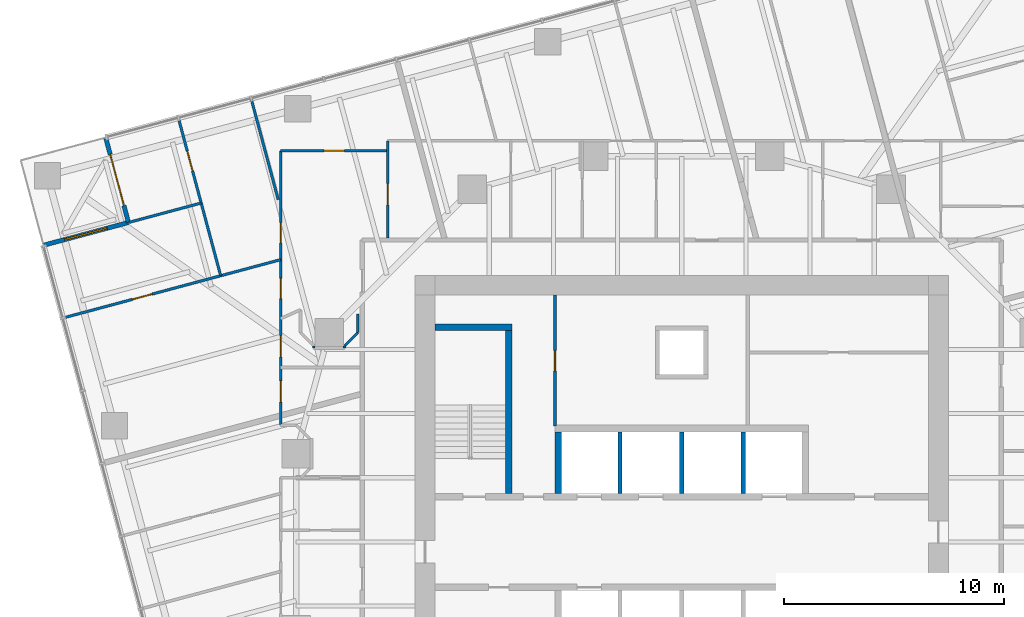
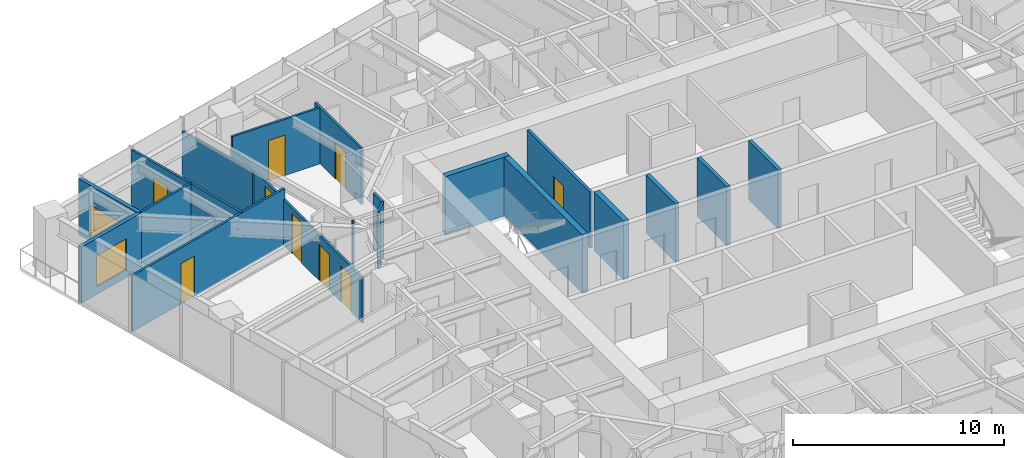
# One storey, part 12 of 15: 20 walls, 10 doors, 1 window, 11 openings.
"""IFC4 building model written with IfcOpenShell, lengths in metres."""

from ifc_helpers import new_model, si_unit, direction, frame, frame_2d, origin, place, context, subcontext, project, spatial, rectangle, extrude, material, layer, layer_set, type_object, element, fill, save


model = new_model("IFC4")

# Units and contexts
model_context = context("Model", 3, precision=1e-05, world=origin(), true_north=direction((0.0, 1.0)))
body_context = subcontext(model_context, "Body", "Model", "MODEL_VIEW")
ifc_project = project(units=[si_unit("LENGTHUNIT", "METRE"), si_unit("AREAUNIT", "SQUARE_METRE"), si_unit("VOLUMEUNIT", "CUBIC_METRE"), si_unit("PLANEANGLEUNIT", "RADIAN"), si_unit("MASSUNIT", "GRAM", prefix="KILO")], contexts=[model_context])

# Site, building, storey
site_placement = place(None, origin())
site = spatial("IfcSite", under=ifc_project, at=site_placement, CompositionType="ELEMENT")
building_placement = place(site_placement, origin())
building = spatial("IfcBuilding", under=site, at=building_placement, Name="Torsade Residences", CompositionType="ELEMENT")
storey_placement = place(building_placement, frame((0.0, 0.0, 132.0)))
storey = spatial("IfcBuildingStorey", under=building, at=storey_placement, Name="L36", CompositionType="ELEMENT", Elevation=132.0)

# Walls
ifc_material_1 = material(Name="Concrete 80 MPa", Category="concrete")
ifc_layer_1 = layer(ifc_material_1, 0.300048828125)
ifc_layer_set_1 = layer_set([ifc_layer_1], Name="Concrete 80 MPa")
wall_type_1 = type_object("IfcWallType", Name="CORE INTERNAL WALL 300", PredefinedType="SHEAR", material=ifc_layer_set_1)
wall_1_placement = place(storey_placement, frame((34.39990234375, 32.199951171875, 0.0), z_axis=(0.0, 0.0, 1.0), x_axis=(0.0, 1.0, 0.0)))
element("IfcWall", 1, at=wall_1_placement, inside=storey, type_object=wall_type_1, Name="Core wall DN0 L36", PredefinedType="SHEAR", context=body_context, shape_type="SweptSolid", body=[
    extrude(rectangle(XDim=2.800048828125, YDim=0.300048828125, at=frame_2d((1.39990234375, 0.0))), origin(), (0.0, 0.0, 1.0), 3.39990234375),
])
wall_2_placement = place(storey_placement, frame((32.14990234375, 32.199951171875, 0.0), z_axis=(0.0, 0.0, 1.0), x_axis=(0.0, 1.0, 0.0)))
element("IfcWall", 2, at=wall_2_placement, inside=storey, type_object=wall_type_1, Name="Core wall ST1E L36", PredefinedType="SHEAR", context=body_context, shape_type="SweptSolid", body=[
    extrude(rectangle(XDim=7.699951171875, YDim=0.300048828125, at=frame_2d((3.85009765625, 0.0))), origin(), (0.0, 0.0, 1.0), 3.39990234375),
])
wall_3_placement = place(storey_placement, frame((28.800048828125, 39.75, 0.0), z_axis=(0.0, 0.0, 1.0), x_axis=(1.0, 0.0, 0.0)))
element("IfcWall", 3, at=wall_3_placement, inside=storey, type_object=wall_type_1, Name="Core wall ST1N L36", PredefinedType="SHEAR", context=body_context, shape_type="SweptSolid", body=[
    extrude(rectangle(XDim=3.5, YDim=0.300048828125, at=frame_2d((1.75, 0.0))), origin(), (0.0, 0.0, 1.0), 3.39990234375),
])
ifc_material_2 = material(Name="Reinforced blockwork", Category="masonry")
ifc_layer_2 = layer(ifc_material_2, 0.199951171875)
ifc_layer_set_2 = layer_set([ifc_layer_2], Name="Reinforced blockwork")
wall_type_2 = type_object("IfcWallType", Name="LIFT SHAFT DIVIDING WALL 200", PredefinedType="SOLIDWALL", material=ifc_layer_set_2)
for number, where, z_axis, x_axis, name in (
    (4, (37.199951171875, 32.199951171875, 0.0), (0.0, 0.0, 1.0), (0.0, 1.0, 0.0), "Core wall DN1 L36"),
    (5, (40.0, 32.199951171875, 0.0), (0.0, 0.0, 1.0), (0.0, 1.0, 0.0), "Core wall DN2 L36"),
    (6, (42.800048828125, 32.199951171875, 0.0), (0.0, 0.0, 1.0), (0.0, 1.0, 0.0), "Core wall DN3 L36"),
):
    element("IfcWall", number, at=place(storey_placement, frame(where, z_axis=z_axis, x_axis=x_axis)), inside=storey, type_object=wall_type_2, Name=name, PredefinedType="SOLIDWALL", context=body_context, shape_type="SweptSolid", body=[
        extrude(rectangle(XDim=2.800048828125, YDim=0.199951171875, at=frame_2d((1.39990234375, 0.0))), origin(), (0.0, 0.0, 1.0), 3.39990234375),
    ])
ifc_material_3 = material(Name="Plasterboard on steel stud", Category="steel")
ifc_layer_3 = layer(ifc_material_3, 0.1201171875)
ifc_layer_set_3 = layer_set([ifc_layer_3], Name="Plasterboard on steel stud")
wall_type_3 = type_object("IfcWallType", Name="PARTITION 120", PredefinedType="PARTITIONING", material=ifc_layer_set_3)
wall_4_placement = place(storey_placement, frame((25.300048828125, 40.335205078125, 0.0), z_axis=(0.0, 0.0, 1.0), x_axis=(0.0, -1.0, 0.0)))
element("IfcWall", 7, at=wall_4_placement, inside=storey, type_object=wall_type_3, Name="Partition L36", PredefinedType="PARTITIONING", context=body_context, shape_type="SweptSolid", body=[
    extrude(rectangle(XDim=0.835205078125, YDim=0.1201171875, at=frame_2d((0.41748046875, 0.0))), origin(), (0.0, 0.0, 1.0), 3.25),
])
wall_5_placement = place(storey_placement, frame((25.300048828125, 39.5, 0.0), z_axis=(0.0, 0.0, 1.0), x_axis=(-0.707106781187, -0.707106781187, 0.0)))
element("IfcWall", 8, at=wall_5_placement, inside=storey, type_object=wall_type_3, Name="Partition L36", PredefinedType="PARTITIONING", context=body_context, shape_type="SweptSolid", body=[
    extrude(rectangle(XDim=0.8486328125, YDim=0.1201171875, at=frame_2d((0.42431640625, 0.0))), origin(), (0.0, 0.0, 1.0), 3.25),
])

# Wall, openings, doors
wall_6_placement = place(storey_placement, frame((21.800048828125, 35.300048828125, 0.0), z_axis=(0.0, 0.0, 1.0), x_axis=(0.0, 1.0, 0.0)))
wall_6 = element("IfcWall", 9, at=wall_6_placement, inside=storey, type_object=wall_type_3, Name="Partition L36", PredefinedType="PARTITIONING", context=body_context, shape_type="SweptSolid", body=[
    extrude(rectangle(XDim=12.449951171875, YDim=0.1201171875, at=frame_2d((6.22509765625, 0.0))), origin(), (0.0, 0.0, 1.0), 2.636962890625),
])
opening_1_placement = place(wall_6_placement, frame((5.73828125, 0.0, 0.0)))
opening_1 = element("IfcOpeningElement", 10, at=opening_1_placement, cuts=wall_6, Name="Opening D02", PredefinedType="OPENING", context=body_context, shape_type="SweptSolid", body=[
    extrude(rectangle(XDim=0.919921875, YDim=2.340087890625, at=frame_2d((0.4599609375, 1.169921875))), frame((0.0, 0.070068359375, 0.0), z_axis=(0.0, -1.0, 0.0), x_axis=(1.0, 0.0, 0.0)), (0.0, 0.0, 1.0), 0.14013671875),
])
opening_2_placement = place(wall_6_placement, frame((8.275146484375, 0.0, 0.0)))
opening_2 = element("IfcOpeningElement", 11, at=opening_2_placement, cuts=wall_6, Name="Opening D02", PredefinedType="OPENING", context=body_context, shape_type="SweptSolid", body=[
    extrude(rectangle(XDim=0.919921875, YDim=2.340087890625, at=frame_2d((0.4599609375, 1.169921875))), frame((0.0, 0.070068359375, 0.0), z_axis=(0.0, -1.0, 0.0), x_axis=(1.0, 0.0, 0.0)), (0.0, 0.0, 1.0), 0.14013671875),
])
opening_3_placement = place(wall_6_placement, frame((3.0966796875, 0.0, 0.0)))
opening_3 = element("IfcOpeningElement", 12, at=opening_3_placement, cuts=wall_6, Name="Opening D05", PredefinedType="OPENING", context=body_context, shape_type="SweptSolid", body=[
    extrude(rectangle(XDim=0.9599609375, YDim=2.10009765625, at=frame_2d((0.47998046875, 1.050048828125))), frame((0.0, 0.070068359375, 0.0), z_axis=(0.0, -1.0, 0.0), x_axis=(1.0, 0.0, 0.0)), (0.0, 0.0, 1.0), 0.14013671875),
])
opening_4_placement = place(wall_6_placement, frame((1.046630859375, 0.0, 0.0)))
opening_4 = element("IfcOpeningElement", 13, at=opening_4_placement, cuts=wall_6, Name="Opening D05", PredefinedType="OPENING", context=body_context, shape_type="SweptSolid", body=[
    extrude(rectangle(XDim=0.9599609375, YDim=2.10009765625, at=frame_2d((0.47998046875, 1.050048828125))), frame((0.0, 0.070068359375, 0.0), z_axis=(0.0, -1.0, 0.0), x_axis=(1.0, 0.0, 0.0)), (0.0, 0.0, 1.0), 0.14013671875),
])
ifc_material_4 = material(Name="Hollow-core timber door in a steel cavity frame", Category="steel")
door_type_1 = type_object("IfcDoorType", Name="BATHROOM CAVITY SLIDING DOOR 960", OperationType="SLIDING_TO_LEFT", PredefinedType="DOOR", material=ifc_material_4)
door_1_placement = place(opening_3_placement, origin())
door_1 = element("IfcDoor", 14, at=door_1_placement, inside=storey, type_object=door_type_1, Name="Door Living room to Ensuite", OperationType="SLIDING_TO_LEFT", OverallHeight=2.10009765625, OverallWidth=0.9599609375, PredefinedType="DOOR", context=body_context, shape_type="SweptSolid", body=[
    extrude(rectangle(XDim=0.9599609375, YDim=2.10009765625, at=frame_2d((0.47998046875, 1.050048828125))), frame((0.0, 0.02490234375, 0.0), z_axis=(0.0, -1.0, 0.0), x_axis=(1.0, 0.0, 0.0)), (0.0, 0.0, 1.0), 0.050048828125),
])
fill(opening_3, door_1)
door_2_placement = place(opening_4_placement, origin())
door_2 = element("IfcDoor", 15, at=door_2_placement, inside=storey, type_object=door_type_1, Name="Door Living room to Laundry", OperationType="SLIDING_TO_LEFT", OverallHeight=2.10009765625, OverallWidth=0.9599609375, PredefinedType="DOOR", context=body_context, shape_type="SweptSolid", body=[
    extrude(rectangle(XDim=0.9599609375, YDim=2.10009765625, at=frame_2d((0.47998046875, 1.050048828125))), frame((0.0, 0.02490234375, 0.0), z_axis=(0.0, -1.0, 0.0), x_axis=(1.0, 0.0, 0.0)), (0.0, 0.0, 1.0), 0.050048828125),
])
fill(opening_4, door_2)
ifc_material_5 = material(Name="Hollow-core timber door", Category="wood")
door_type_2 = type_object("IfcDoorType", Name="INTERNAL DOOR 920x2340", OperationType="NOTDEFINED", PredefinedType="DOOR", material=ifc_material_5)
door_3_placement = place(opening_1_placement, origin())
door_3 = element("IfcDoor", 16, at=door_3_placement, inside=storey, type_object=door_type_2, Name="Door Kitchen and dining to Living room", OperationType="SINGLE_SWING_RIGHT", OverallHeight=2.340087890625, OverallWidth=0.919921875, PredefinedType="DOOR", context=body_context, shape_type="SweptSolid", body=[
    extrude(rectangle(XDim=0.919921875, YDim=2.340087890625, at=frame_2d((0.4599609375, 1.169921875))), frame((0.0, 0.02490234375, 0.0), z_axis=(0.0, -1.0, 0.0), x_axis=(1.0, 0.0, 0.0)), (0.0, 0.0, 1.0), 0.050048828125),
])
fill(opening_1, door_3)
door_4_placement = place(opening_2_placement, origin())
door_4 = element("IfcDoor", 17, at=door_4_placement, inside=storey, type_object=door_type_2, Name="Door Kitchen and dining to Bedroom 2", OperationType="SINGLE_SWING_LEFT", OverallHeight=2.340087890625, OverallWidth=0.919921875, PredefinedType="DOOR", context=body_context, shape_type="SweptSolid", body=[
    extrude(rectangle(XDim=0.919921875, YDim=2.340087890625, at=frame_2d((0.4599609375, 1.169921875))), frame((0.0, 0.02490234375, 0.0), z_axis=(0.0, -1.0, 0.0), x_axis=(1.0, 0.0, 0.0)), (0.0, 0.0, 1.0), 0.050048828125),
])
fill(opening_2, door_4)

# Wall, opening, door
wall_7_placement = place(storey_placement, frame((21.800048828125, 47.75, 0.0), z_axis=(0.0, 0.0, 1.0), x_axis=(1.0, 0.0, 0.0)))
wall_7 = element("IfcWall", 18, at=wall_7_placement, inside=storey, type_object=wall_type_3, Name="Partition L36", PredefinedType="PARTITIONING", context=body_context, shape_type="SweptSolid", body=[
    extrude(rectangle(XDim=4.856689453125, YDim=0.1201171875, at=frame_2d((2.42822265625, 0.0))), origin(), (0.0, 0.0, 1.0), 3.25),
])
opening_5_placement = place(wall_7_placement, frame((1.968505859375, 0.0, 0.0)))
opening_5 = element("IfcOpeningElement", 19, at=opening_5_placement, cuts=wall_7, Name="Opening D02", PredefinedType="OPENING", context=body_context, shape_type="SweptSolid", body=[
    extrude(rectangle(XDim=0.919921875, YDim=2.340087890625, at=frame_2d((0.4599609375, 1.169921875))), frame((0.0, 0.070068359375, 0.0), z_axis=(0.0, -1.0, 0.0), x_axis=(1.0, 0.0, 0.0)), (0.0, 0.0, 1.0), 0.14013671875),
])
door_5_placement = place(opening_5_placement, origin())
door_5 = element("IfcDoor", 20, at=door_5_placement, inside=storey, type_object=door_type_2, Name="Door Kitchen and dining to Bedroom 3", OperationType="SINGLE_SWING_RIGHT", OverallHeight=2.340087890625, OverallWidth=0.919921875, PredefinedType="DOOR", context=body_context, shape_type="SweptSolid", body=[
    extrude(rectangle(XDim=0.919921875, YDim=2.340087890625, at=frame_2d((0.4599609375, 1.169921875))), frame((0.0, 0.02490234375, 0.0), z_axis=(0.0, -1.0, 0.0), x_axis=(1.0, 0.0, 0.0)), (0.0, 0.0, 1.0), 0.050048828125),
])
fill(opening_5, door_5)

wall_8_placement = place(storey_placement, frame((11.951904296875, 40.17041015625, 0.0), z_axis=(0.0, 0.0, 1.0), x_axis=(0.965923039694, 0.258829444594, 0.0)))
wall_8 = element("IfcWall", 21, at=wall_8_placement, inside=storey, type_object=wall_type_3, Name="Partition L36", PredefinedType="PARTITIONING", context=body_context, shape_type="SweptSolid", body=[
    extrude(rectangle(XDim=10.195556640625, YDim=0.1201171875, at=frame_2d((5.09765625, 0.0))), origin(), (0.0, 0.0, 1.0), 3.25),
])
opening_6_placement = place(wall_8_placement, frame((3.2333984375, 0.0, 0.0)))
opening_6 = element("IfcOpeningElement", 22, at=opening_6_placement, cuts=wall_8, Name="Opening D02", PredefinedType="OPENING", context=body_context, shape_type="SweptSolid", body=[
    extrude(rectangle(XDim=0.919921875, YDim=2.340087890625, at=frame_2d((0.4599609375, 1.169921875))), frame((0.0, 0.070068359375, 0.0), z_axis=(0.0, -1.0, 0.0), x_axis=(1.0, 0.0, 0.0)), (0.0, 0.0, 1.0), 0.14013671875),
])
door_6_placement = place(opening_6_placement, origin())
door_6 = element("IfcDoor", 23, at=door_6_placement, inside=storey, type_object=door_type_2, Name="Door Living room to Bedroom 1", OperationType="SINGLE_SWING_LEFT", OverallHeight=2.340087890625, OverallWidth=0.919921875, PredefinedType="DOOR", context=body_context, shape_type="SweptSolid", body=[
    extrude(rectangle(XDim=0.919921875, YDim=2.340087890625, at=frame_2d((0.4599609375, 1.169921875))), frame((0.0, 0.02490234375, 0.0), z_axis=(0.0, -1.0, 0.0), x_axis=(1.0, 0.0, 0.0)), (0.0, 0.0, 1.0), 0.050048828125),
])
fill(opening_6, door_6)

wall_9_placement = place(storey_placement, frame((17.16796875, 49.205078125, 0.0), z_axis=(0.0, 0.0, 1.0), x_axis=(0.258846923464, -0.965918355874, 0.0)))
wall_9 = element("IfcWall", 24, at=wall_9_placement, inside=storey, type_object=wall_type_3, Name="Partition L36", PredefinedType="PARTITIONING", context=body_context, shape_type="SweptSolid", body=[
    extrude(rectangle(XDim=7.376708984375, YDim=0.1201171875, at=frame_2d((3.6884765625, 0.0))), origin(), (0.0, 0.0, 1.0), 3.25),
])
opening_7_placement = place(wall_9_placement, frame((1.52490234375, 0.0, 0.0)))
opening_7 = element("IfcOpeningElement", 25, at=opening_7_placement, cuts=wall_9, Name="Opening D02", PredefinedType="OPENING", context=body_context, shape_type="SweptSolid", body=[
    extrude(rectangle(XDim=0.919921875, YDim=2.340087890625, at=frame_2d((0.4599609375, 1.169921875))), frame((0.0, 0.070068359375, 0.0), z_axis=(0.0, -1.0, 0.0), x_axis=(1.0, 0.0, 0.0)), (0.0, 0.0, 1.0), 0.14013671875),
])
door_7_placement = place(opening_7_placement, origin())
door_7 = element("IfcDoor", 26, at=door_7_placement, inside=storey, type_object=door_type_2, Name="Door Bedroom 2 to Study", OperationType="SINGLE_SWING_RIGHT", OverallHeight=2.340087890625, OverallWidth=0.919921875, PredefinedType="DOOR", context=body_context, shape_type="SweptSolid", body=[
    extrude(rectangle(XDim=0.919921875, YDim=2.340087890625, at=frame_2d((0.4599609375, 1.169921875))), frame((0.0, 0.02490234375, 0.0), z_axis=(0.0, -1.0, 0.0), x_axis=(1.0, 0.0, 0.0)), (0.0, 0.0, 1.0), 0.050048828125),
])
fill(opening_7, door_7)

# Walls
wall_10_placement = place(storey_placement, frame((14.931396484375, 44.506103515625, 0.0), z_axis=(0.0, 0.0, 1.0), x_axis=(0.96593546512, 0.258783069815, 0.0)))
element("IfcWall", 27, at=wall_10_placement, inside=storey, type_object=wall_type_3, Name="Partition L36", PredefinedType="PARTITIONING", context=body_context, shape_type="SweptSolid", body=[
    extrude(rectangle(XDim=3.37646484375, YDim=0.1201171875, at=frame_2d((1.688232421875, 0.0))), origin(), (0.0, 0.0, 1.0), 3.25),
])
wall_11_placement = place(storey_placement, frame((20.46826171875, 50.08935546875, 0.0), z_axis=(0.0, 0.0, 1.0), x_axis=(0.258808471399, -0.965928659442, 0.0)))
element("IfcWall", 28, at=wall_11_placement, inside=storey, type_object=wall_type_3, Name="Partition L36", PredefinedType="PARTITIONING", context=body_context, shape_type="SweptSolid", body=[
    extrude(rectangle(XDim=4.720458984375, YDim=0.1201171875, at=frame_2d((2.3603515625, 0.0))), origin(), (0.0, 0.0, 1.0), 2.636962890625),
])

# Wall, opening, door
wall_12_placement = place(storey_placement, frame((26.65673828125, 48.199951171875, 0.0), z_axis=(0.0, 0.0, 1.0), x_axis=(0.0, -1.0, 0.0)))
wall_12 = element("IfcWall", 29, at=wall_12_placement, inside=storey, type_object=wall_type_3, Name="Partition L36", PredefinedType="PARTITIONING", context=body_context, shape_type="SweptSolid", body=[
    extrude(rectangle(XDim=4.39990234375, YDim=0.1201171875, at=frame_2d((2.199951171875, 0.0))), origin(), (0.0, 0.0, 1.0), 3.25),
])
opening_8_placement = place(wall_12_placement, frame((1.945068359375, 0.0, 0.0)))
opening_8 = element("IfcOpeningElement", 30, at=opening_8_placement, cuts=wall_12, Name="Opening D05", PredefinedType="OPENING", context=body_context, shape_type="SweptSolid", body=[
    extrude(rectangle(XDim=0.9599609375, YDim=2.10009765625, at=frame_2d((0.47998046875, 1.050048828125))), frame((0.0, 0.070068359375, 0.0), z_axis=(0.0, -1.0, 0.0), x_axis=(1.0, 0.0, 0.0)), (0.0, 0.0, 1.0), 0.14013671875),
])
door_8_placement = place(opening_8_placement, origin())
door_8 = element("IfcDoor", 31, at=door_8_placement, inside=storey, type_object=door_type_1, Name="Door Kitchen and dining to Bathroom", OperationType="SLIDING_TO_LEFT", OverallHeight=2.10009765625, OverallWidth=0.9599609375, PredefinedType="DOOR", context=body_context, shape_type="SweptSolid", body=[
    extrude(rectangle(XDim=0.9599609375, YDim=2.10009765625, at=frame_2d((0.47998046875, 1.050048828125))), frame((0.0, 0.02490234375, 0.0), z_axis=(0.0, -1.0, 0.0), x_axis=(1.0, 0.0, 0.0)), (0.0, 0.0, 1.0), 0.050048828125),
])
fill(opening_8, door_8)

# Walls
for number, where, z_axis, x_axis, name in (
    (32, (24.699951171875, 38.800048828125, 0.0), (0.0, 0.0, 1.0), (0.0, 1.0, 0.0), "Partition L36"),
    (33, (23.300048828125, 38.800048828125, 0.0), (0.0, 0.0, 1.0), (0.0, 1.0, 0.0), "Partition L36"),
):
    element("IfcWall", number, at=place(storey_placement, frame(where, z_axis=z_axis, x_axis=x_axis)), inside=storey, type_object=wall_type_3, Name=name, PredefinedType="PARTITIONING", context=body_context, shape_type="SweptSolid", body=[
        extrude(rectangle(XDim=0.099853515625, YDim=0.1201171875, at=frame_2d((0.0498046875, 0.0))), origin(), (0.0, 0.0, 1.0), 3.25),
    ])

# Wall, opening, door
ifc_material_6 = material(Name="Reinforced blockwork", Category="masonry")
ifc_layer_4 = layer(ifc_material_6, 0.14990234375)
ifc_layer_set_4 = layer_set([ifc_layer_4], Name="Reinforced blockwork")
wall_type_4 = type_object("IfcWallType", Name="SERVICE ROOM WALL 150", PredefinedType="SOLIDWALL", material=ifc_layer_set_4)
wall_13_placement = place(storey_placement, frame((34.25, 41.199951171875, 0.0), z_axis=(0.0, 0.0, 1.0), x_axis=(0.0, -1.0, 0.0)))
wall_13 = element("IfcWall", 34, at=wall_13_placement, inside=storey, type_object=wall_type_4, Name="Service room wall L36", PredefinedType="SOLIDWALL", context=body_context, shape_type="SweptSolid", body=[
    extrude(rectangle(XDim=5.949951171875, YDim=0.14990234375, at=frame_2d((2.97509765625, 0.0))), origin(), (0.0, 0.0, 1.0), 3.25),
])
opening_9_placement = place(wall_13_placement, frame((2.514892578125, 0.0, 0.0)))
opening_9 = element("IfcOpeningElement", 35, at=opening_9_placement, cuts=wall_13, Name="Opening D06", PredefinedType="OPENING", context=body_context, shape_type="SweptSolid", body=[
    extrude(rectangle(XDim=0.919921875, YDim=2.10009765625, at=frame_2d((0.4599609375, 1.050048828125))), frame((0.0, 0.0849609375, 0.0), z_axis=(0.0, -1.0, 0.0), x_axis=(1.0, 0.0, 0.0)), (0.0, 0.0, 1.0), 0.169921875),
])
ifc_material_7 = material(Name="Steel-framed fire door", Category="steel")
door_type_3 = type_object("IfcDoorType", Name="FIRE DOOR 920", OperationType="NOTDEFINED", PredefinedType="DOOR", material=ifc_material_7)
door_9_placement = place(opening_9_placement, origin())
door_9 = element("IfcDoor", 36, at=door_9_placement, inside=storey, type_object=door_type_3, Name="Door Meter store to Electrical riser room", OperationType="SINGLE_SWING_LEFT", OverallHeight=2.10009765625, OverallWidth=0.919921875, PredefinedType="DOOR", context=body_context, shape_type="SweptSolid", body=[
    extrude(rectangle(XDim=0.919921875, YDim=2.10009765625, at=frame_2d((0.4599609375, 1.050048828125))), frame((0.0, 0.02490234375, 0.0), z_axis=(0.0, -1.0, 0.0), x_axis=(1.0, 0.0, 0.0)), (0.0, 0.0, 1.0), 0.050048828125),
])
fill(opening_9, door_9)

ifc_material_8 = material(Name="Stone-faced precast concrete 40 MPa panel", Category="masonry")
ifc_layer_5 = layer(ifc_material_8, 0.199951171875)
ifc_layer_set_5 = layer_set([ifc_layer_5], Name="Stone-faced precast concrete 40 MPa panel")
wall_type_5 = type_object("IfcWallType", Name="TERRACE WALL 200", PredefinedType="SOLIDWALL", material=ifc_layer_set_5)
wall_14_placement = place(storey_placement, frame((13.857421875, 48.359375, 0.0), z_axis=(0.0, 0.0, 1.0), x_axis=(0.258843877716, -0.965919172068, 0.0)))
wall_14 = element("IfcWall", 37, at=wall_14_placement, inside=storey, type_object=wall_type_5, Name="Terrace wall L36 8", PredefinedType="SOLIDWALL", context=body_context, shape_type="SweptSolid", body=[
    extrude(rectangle(XDim=4.0, YDim=0.199951171875, at=frame_2d((2.0, 0.0))), origin(), (0.0, 0.0, 1.0), 3.25),
])
opening_10_placement = place(wall_14_placement, frame((0.800048828125, 0.0, 0.0)))
opening_10 = element("IfcOpeningElement", 38, at=opening_10_placement, cuts=wall_14, Name="Opening D10A", PredefinedType="OPENING", context=body_context, shape_type="SweptSolid", body=[
    extrude(rectangle(XDim=2.39990234375, YDim=2.10009765625, at=frame_2d((1.199951171875, 1.050048828125))), frame((0.0, 0.10986328125, 0.0), z_axis=(0.0, -1.0, 0.0), x_axis=(1.0, 0.0, 0.0)), (0.0, 0.0, 1.0), 0.219970703125),
])
ifc_material_9 = material(Name="Aluminium-framed glass door", Category="aluminium")
door_type_4 = type_object("IfcDoorType", Name="TERRACE SLIDING DOOR 2400x2100", OperationType="SLIDING_TO_LEFT", PredefinedType="DOOR", material=ifc_material_9)
door_10_placement = place(opening_10_placement, origin())
door_10 = element("IfcDoor", 39, at=door_10_placement, inside=storey, type_object=door_type_4, Name="Terrace door L36 8", OperationType="SLIDING_TO_LEFT", OverallHeight=2.10009765625, OverallWidth=2.39990234375, PredefinedType="DOOR", context=body_context, shape_type="SweptSolid", body=[
    extrude(rectangle(XDim=2.39990234375, YDim=2.10009765625, at=frame_2d((1.199951171875, 1.050048828125))), frame((0.0, 0.02490234375, 0.0), z_axis=(0.0, -1.0, 0.0), x_axis=(1.0, 0.0, 0.0)), (0.0, 0.0, 1.0), 0.050048828125),
])
fill(opening_10, door_10)

# Wall, opening, window
wall_15_placement = place(storey_placement, frame((14.892822265625, 44.49560546875, 0.0), z_axis=(0.0, 0.0, 1.0), x_axis=(-0.965934430412, -0.258786931944, 0.0)))
wall_15 = element("IfcWall", 40, at=wall_15_placement, inside=storey, type_object=wall_type_5, Name="Terrace wall L36 9", PredefinedType="SOLIDWALL", context=body_context, shape_type="SweptSolid", body=[
    extrude(rectangle(XDim=4.0, YDim=0.199951171875, at=frame_2d((2.0, 0.0))), origin(), (0.0, 0.0, 1.0), 3.25),
])
opening_11_placement = place(wall_15_placement, frame((1.0, 0.0, 0.449951171875)))
opening_11 = element("IfcOpeningElement", 41, at=opening_11_placement, cuts=wall_15, Name="Opening W1B", PredefinedType="OPENING", context=body_context, shape_type="SweptSolid", body=[
    extrude(rectangle(XDim=2.0, YDim=1.800048828125, at=frame_2d((1.0, 0.89990234375))), frame((0.0, 0.10986328125, 0.0), z_axis=(0.0, -1.0, 0.0), x_axis=(1.0, 0.0, 0.0)), (0.0, 0.0, 1.0), 0.219970703125),
])
ifc_material_10 = material(Name="Aluminium-framed glass window", Category="aluminium")
window_type = type_object("IfcWindowType", Name="TERRACE WINDOW 2000x1800", PartitioningType="SINGLE_PANEL", PredefinedType="WINDOW", material=ifc_material_10)
window_placement = place(opening_11_placement, origin())
window = element("IfcWindow", 42, at=window_placement, inside=storey, type_object=window_type, Name="Terrace window L36 9", OverallHeight=1.800048828125, OverallWidth=2.0, PartitioningType="SINGLE_PANEL", PredefinedType="WINDOW", context=body_context, shape_type="SweptSolid", body=[
    extrude(rectangle(XDim=2.0, YDim=1.800048828125, at=frame_2d((1.0, 0.89990234375))), frame((0.0, 0.030029296875, 0.0), z_axis=(0.0, -1.0, 0.0), x_axis=(1.0, 0.0, 0.0)), (0.0, 0.0, 1.0), 0.06005859375),
])
fill(opening_11, window)

save(model, "model.ifc")
